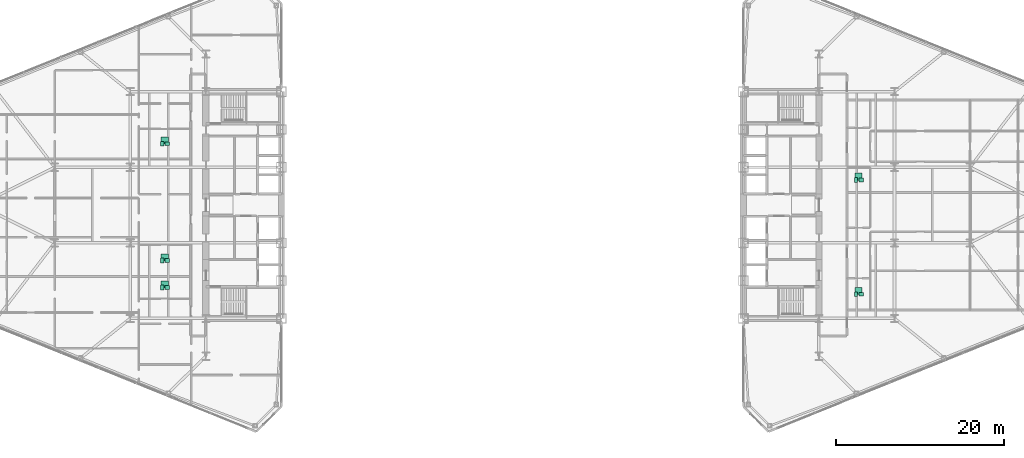
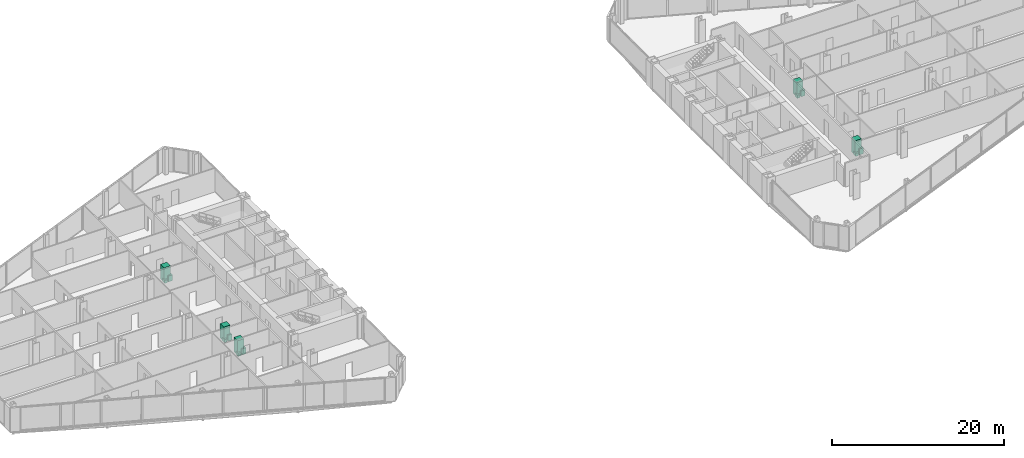
# One storey, part 25 of 25: 15 sanitary terminals.
"""IFC4 building model written with IfcOpenShell, lengths in metres."""

from ifc_helpers import new_model, si_unit, direction, frame, origin, origin_2d, place, context, subcontext, project, spatial, rectangle, extrude, source, transform, mapped, material, type_object, type_shapes, element, save


model = new_model("IFC4")

# Units and contexts
model_context = context("Model", 3, precision=1e-05, world=origin(), true_north=direction((0.0, 1.0)))
body_context = subcontext(model_context, "Body", "Model", "MODEL_VIEW")
ifc_project = project(units=[si_unit("LENGTHUNIT", "METRE"), si_unit("AREAUNIT", "SQUARE_METRE"), si_unit("VOLUMEUNIT", "CUBIC_METRE"), si_unit("PLANEANGLEUNIT", "RADIAN"), si_unit("MASSUNIT", "GRAM", prefix="KILO")], contexts=[model_context])

# Site, building, storey
site_placement = place(None, origin())
site = spatial("IfcSite", under=ifc_project, at=site_placement, CompositionType="ELEMENT")
building_placement = place(site_placement, origin())
building = spatial("IfcBuilding", under=site, at=building_placement, Name="Seokmaru Belvedere", CompositionType="ELEMENT")
storey_placement = place(building_placement, frame((0.0, 0.0, 44.10009765625)))
storey = spatial("IfcBuildingStorey", under=building, at=storey_placement, Name="L11", CompositionType="ELEMENT", Elevation=44.10009765625)

# Sanitary terminals
ifc_material_1 = material(Name="Vitreous China Sanitaryware")
sanitary_terminal_type_1 = type_object("IfcSanitaryTerminalType", Name="Wall-Hung Vitreous China WC Pan", PredefinedType="TOILETPAN", material=ifc_material_1)
shared_shape_1 = source(origin(), body_context, "Body", "SweptSolid", [
    extrude(rectangle(XDim=0.3798828125, YDim=0.56005859375, at=origin_2d()), origin(), (0.0, 0.0, 1.0), 0.419921875),
])
type_shapes(sanitary_terminal_type_1, [shared_shape_1])
for number, where, z_axis, x_axis, name in (
    (1, (-41.699951171875, -9.822021484375, 0.0), (0.0, 0.0, 1.0), (1.0, 0.0, 0.0), "L11 Vitreous China WC 0065"),
    (2, (-41.699951171875, -6.611083984375, 0.0), (0.0, 0.0, 1.0), (1.0, 0.0, 0.0), "L11 Vitreous China WC 0066"),
    (3, (-41.699951171875, 7.2890625, 0.0), (0.0, 0.0, 1.0), (1.0, 0.0, 0.0), "L11 Vitreous China WC 0067"),
    (4, (40.925048828125, -10.611083984375, 0.0), (0.0, 0.0, 1.0), (1.0, 0.0, 0.0), "L11 Vitreous China WC 0068"),
    (5, (40.925048828125, 2.98388671875, 0.0), (0.0, 0.0, 1.0), (1.0, 0.0, 0.0), "L11 Vitreous China WC 0069"),
):
    element("IfcSanitaryTerminal", number, at=place(storey_placement, frame(where, z_axis=z_axis, x_axis=x_axis)), inside=storey, type_object=sanitary_terminal_type_1, Name=name, PredefinedType="TOILETPAN", context=body_context, shape_type="MappedRepresentation", body=[
        mapped(shared_shape_1, transform((0.0, 0.0, 0.0), scale=1.0)),
    ])
sanitary_terminal_type_2 = type_object("IfcSanitaryTerminalType", Name="Countertop Ceramic Washhand Basin", PredefinedType="WASHHANDBASIN", material=ifc_material_1)
shared_shape_2 = source(origin(), body_context, "Body", "SweptSolid", [
    extrude(rectangle(XDim=0.550048828125, YDim=0.449951171875, at=origin_2d()), origin(), (0.0, 0.0, 1.0), 0.820068359375),
])
type_shapes(sanitary_terminal_type_2, [shared_shape_2])
for number, where, z_axis, x_axis, name in (
    (6, (-41.10009765625, -9.822021484375, 0.0), (0.0, 0.0, 1.0), (1.0, 0.0, 0.0), "L11 Ceramic Washhand Basin 0065"),
    (7, (-41.10009765625, -6.611083984375, 0.0), (0.0, 0.0, 1.0), (1.0, 0.0, 0.0), "L11 Ceramic Washhand Basin 0066"),
    (8, (-41.10009765625, 7.2890625, 0.0), (0.0, 0.0, 1.0), (1.0, 0.0, 0.0), "L11 Ceramic Washhand Basin 0067"),
    (9, (41.52490234375, -10.611083984375, 0.0), (0.0, 0.0, 1.0), (1.0, 0.0, 0.0), "L11 Ceramic Washhand Basin 0068"),
    (10, (41.52490234375, 2.98388671875, 0.0), (0.0, 0.0, 1.0), (1.0, 0.0, 0.0), "L11 Ceramic Washhand Basin 0069"),
):
    element("IfcSanitaryTerminal", number, at=place(storey_placement, frame(where, z_axis=z_axis, x_axis=x_axis)), inside=storey, type_object=sanitary_terminal_type_2, Name=name, PredefinedType="WASHHANDBASIN", context=body_context, shape_type="MappedRepresentation", body=[
        mapped(shared_shape_2, transform((0.0, 0.0, 0.0), scale=1.0)),
    ])
ifc_material_2 = material(Name="Stainless Steel 316", Category="steel")
sanitary_terminal_type_3 = type_object("IfcSanitaryTerminalType", Name="Walk-In Thermostatic Rain Shower Enclosure", PredefinedType="SHOWER", material=ifc_material_2)
shared_shape_3 = source(origin(), body_context, "Body", "SweptSolid", [
    extrude(rectangle(XDim=0.85009765625, YDim=0.85009765625, at=origin_2d()), origin(), (0.0, 0.0, 1.0), 2.050048828125),
])
type_shapes(sanitary_terminal_type_3, [shared_shape_3])
for number, where, z_axis, x_axis, name in (
    (11, (-41.39990234375, -9.44189453125, 0.0), (0.0, 0.0, 1.0), (1.0, 0.0, 0.0), "L11 Walk-In Shower 0065"),
    (12, (-41.39990234375, -6.23095703125, 0.0), (0.0, 0.0, 1.0), (1.0, 0.0, 0.0), "L11 Walk-In Shower 0066"),
    (13, (-41.39990234375, 7.6689453125, 0.0), (0.0, 0.0, 1.0), (1.0, 0.0, 0.0), "L11 Walk-In Shower 0067"),
    (14, (41.22509765625, -10.23095703125, 0.0), (0.0, 0.0, 1.0), (1.0, 0.0, 0.0), "L11 Walk-In Shower 0068"),
    (15, (41.22509765625, 3.364013671875, 0.0), (0.0, 0.0, 1.0), (1.0, 0.0, 0.0), "L11 Walk-In Shower 0069"),
):
    element("IfcSanitaryTerminal", number, at=place(storey_placement, frame(where, z_axis=z_axis, x_axis=x_axis)), inside=storey, type_object=sanitary_terminal_type_3, Name=name, PredefinedType="SHOWER", context=body_context, shape_type="MappedRepresentation", body=[
        mapped(shared_shape_3, transform((0.0, 0.0, 0.0), scale=1.0)),
    ])

save(model, "model.ifc")
